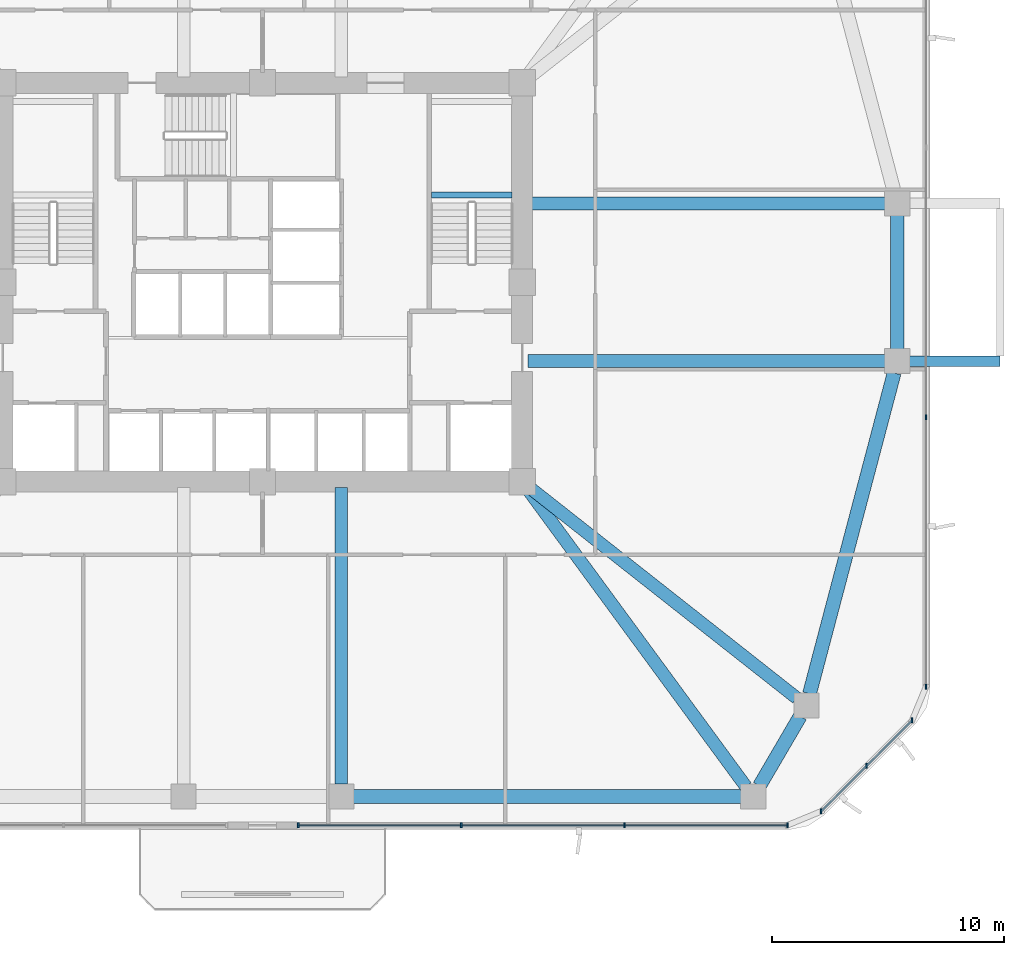
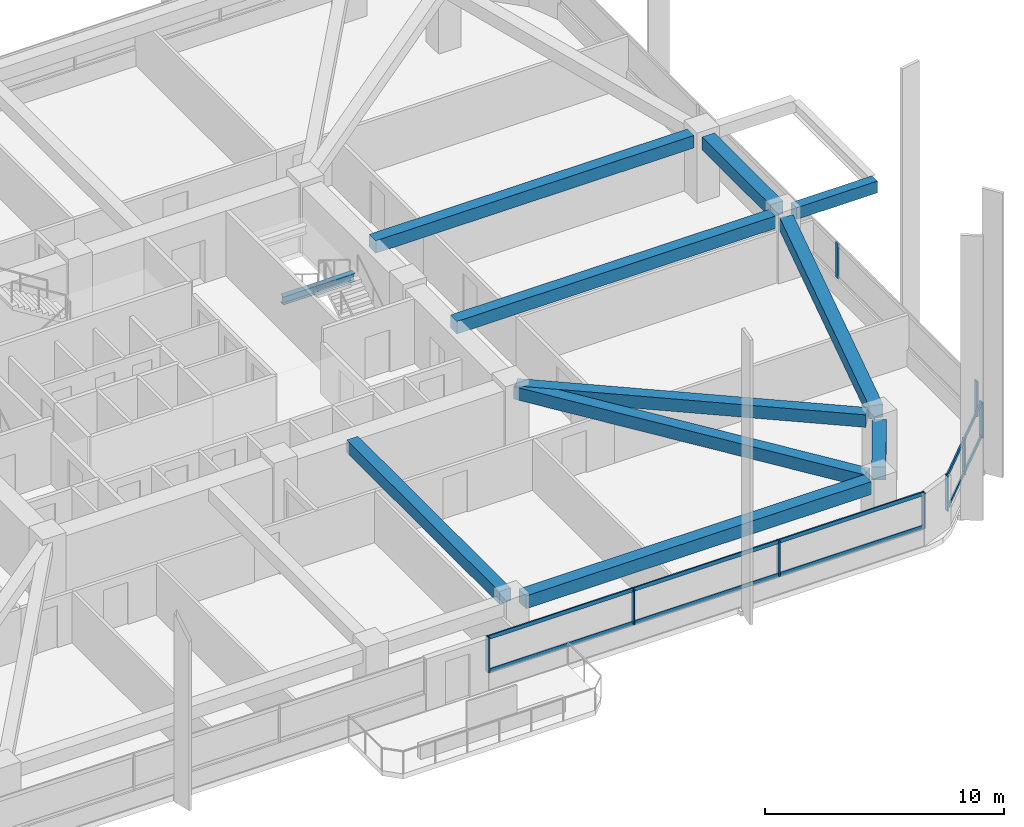
# One storey, part 4 of 17: 13 members, 11 beams, 3 elements without a shape of their own.
"""IFC4 building model written with IfcOpenShell, lengths in metres."""

from ifc_helpers import new_model, si_unit, derived_unit, direction, frame, origin, origin_2d, place, context, subcontext, project, spatial, rectangle, i_section, extrude, material, material_profile, profile_set, type_object, element, aggregate, save


model = new_model("IFC4")

# Units and contexts
model_context = context("Model", 3, precision=1e-05, world=origin(), true_north=direction((0.0, 1.0)))
body_context = subcontext(model_context, "Body", "Model", "MODEL_VIEW")
ifc_project = project(units=[si_unit("LENGTHUNIT", "METRE"), si_unit("AREAUNIT", "SQUARE_METRE"), si_unit("VOLUMEUNIT", "CUBIC_METRE"), si_unit("PLANEANGLEUNIT", "RADIAN"), si_unit("MASSUNIT", "GRAM", prefix="KILO"), derived_unit("THERMALTRANSMITTANCEUNIT", [(si_unit("POWERUNIT", "WATT"), 1), (si_unit("LENGTHUNIT", "METRE"), -2), (si_unit("THERMODYNAMICTEMPERATUREUNIT", "KELVIN"), -1)])], contexts=[model_context])

# Site, building, storey
site_placement = place(None, origin())
site = spatial("IfcSite", under=ifc_project, at=site_placement, CompositionType="ELEMENT")
building_placement = place(site_placement, origin())
building = spatial("IfcBuilding", under=site, at=building_placement, Name="Koralith Skygarden Medical Center", CompositionType="ELEMENT")
storey_placement = place(building_placement, frame((0.0, 0.0, 52.739990234375)))
storey = spatial("IfcBuildingStorey", under=building, at=storey_placement, Name="L13", CompositionType="ELEMENT", Elevation=52.739990234375)

# Curtain wall, members
ifc_material_1 = material(Name="Clear Laminated Glass", Category="glass")
curtain_wall_type = type_object("IfcCurtainWallType", Name="CW-2 Zone 1 Hurricane Unitised Curtain Wall", PredefinedType="NOTDEFINED", material=ifc_material_1)
curtain_wall_1_placement = place(storey_placement, origin())
curtain_wall_1 = element("IfcCurtainWall", 1, at=curtain_wall_1_placement, inside=storey, type_object=curtain_wall_type, Name="Curtain Wall CW-L13-S-R", PredefinedType="NOTDEFINED")
ifc_material_2 = material(Name="Aluminium 6063-T6", Category="aluminium")
ifc_material_profile_1 = material_profile(ifc_material_2, rectangle(XDim=0.071044921875, YDim=0.219970703125, at=origin_2d()), Name="MUL71X220")
ifc_profile_set_1 = profile_set([ifc_material_profile_1], Name="Aluminium 6063-T6")
member_type_1 = type_object("IfcMemberType", Name="CW-2 Extruded Mullion 71x220", PredefinedType="MULLION", material=ifc_profile_set_1)
member_1_placement = place(storey_placement, frame((38.5400390625, 2.47998046875, 0.85009765625), z_axis=(0.0, 0.0, 1.0), x_axis=(1.0, 0.0, 0.0)))
member_1 = element("IfcMember", 2, at=member_1_placement, type_object=member_type_1, Name="CW-L13-S-R Mullion 1", PredefinedType="MULLION", context=body_context, shape_type="SweptSolid", body=[
    extrude(rectangle(XDim=0.071044921875, YDim=0.219970703125, at=origin_2d()), origin(), (0.0, 0.0, 1.0), 1.7998046875),
])
member_2_placement = place(storey_placement, frame((45.574951171875, 2.47998046875, 0.85009765625), z_axis=(0.0, 0.0, 1.0), x_axis=(1.0, 0.0, 0.0)))
member_2 = element("IfcMember", 3, at=member_2_placement, type_object=member_type_1, Name="CW-L13-S-R Mullion 2", PredefinedType="MULLION", context=body_context, shape_type="SweptSolid", body=[
    extrude(rectangle(XDim=0.071044921875, YDim=0.219970703125, at=origin_2d()), origin(), (0.0, 0.0, 1.0), 1.7998046875),
])
member_3_placement = place(storey_placement, frame((52.610107421875, 2.47998046875, 0.85009765625), z_axis=(0.0, 0.0, 1.0), x_axis=(1.0, 0.0, 0.0)))
member_3 = element("IfcMember", 4, at=member_3_placement, type_object=member_type_1, Name="CW-L13-S-R Mullion 3", PredefinedType="MULLION", context=body_context, shape_type="SweptSolid", body=[
    extrude(rectangle(XDim=0.071044921875, YDim=0.219970703125, at=origin_2d()), origin(), (0.0, 0.0, 1.0), 1.7998046875),
])
member_4_placement = place(storey_placement, frame((59.64501953125, 2.47998046875, 0.85009765625), z_axis=(0.0, 0.0, 1.0), x_axis=(1.0, 0.0, 0.0)))
member_4 = element("IfcMember", 5, at=member_4_placement, type_object=member_type_1, Name="CW-L13-S-R Mullion 4", PredefinedType="MULLION", context=body_context, shape_type="SweptSolid", body=[
    extrude(rectangle(XDim=0.071044921875, YDim=0.219970703125, at=origin_2d()), origin(), (0.0, 0.0, 1.0), 1.7998046875),
])

curtain_wall_2_placement = place(storey_placement, origin())
curtain_wall_2 = element("IfcCurtainWall", 6, at=curtain_wall_2_placement, inside=storey, type_object=curtain_wall_type, Name="Curtain Wall CW-L13-SE", PredefinedType="NOTDEFINED")
member_5_placement = place(storey_placement, frame((61.095947265625, 3.0810546875, 0.85009765625), z_axis=(0.0, 0.0, 1.0), x_axis=(1.0, 0.0, 0.0)))
member_5 = element("IfcMember", 7, at=member_5_placement, type_object=member_type_1, Name="CW-L13-SE Mullion 1", PredefinedType="MULLION", context=body_context, shape_type="SweptSolid", body=[
    extrude(rectangle(XDim=0.071044921875, YDim=0.219970703125, at=origin_2d()), origin(), (0.0, 0.0, 1.0), 1.7998046875),
])
member_6_placement = place(storey_placement, frame((63.056884765625, 5.0419921875, 0.85009765625), z_axis=(0.0, 0.0, 1.0), x_axis=(1.0, 0.0, 0.0)))
member_6 = element("IfcMember", 8, at=member_6_placement, type_object=member_type_1, Name="CW-L13-SE Mullion 2", PredefinedType="MULLION", context=body_context, shape_type="SweptSolid", body=[
    extrude(rectangle(XDim=0.071044921875, YDim=0.219970703125, at=origin_2d()), origin(), (0.0, 0.0, 1.0), 1.7998046875),
])
member_7_placement = place(storey_placement, frame((65.01904296875, 7.00390625, 0.85009765625), z_axis=(0.0, 0.0, 1.0), x_axis=(1.0, 0.0, 0.0)))
member_7 = element("IfcMember", 9, at=member_7_placement, type_object=member_type_1, Name="CW-L13-SE Mullion 3", PredefinedType="MULLION", context=body_context, shape_type="SweptSolid", body=[
    extrude(rectangle(XDim=0.071044921875, YDim=0.219970703125, at=origin_2d()), origin(), (0.0, 0.0, 1.0), 1.7998046875),
])

curtain_wall_3_placement = place(storey_placement, origin())
curtain_wall_3 = element("IfcCurtainWall", 10, at=curtain_wall_3_placement, inside=storey, type_object=curtain_wall_type, Name="Curtain Wall CW-L13-E", PredefinedType="NOTDEFINED")
member_8_placement = place(storey_placement, frame((65.6201171875, 8.455078125, 0.85009765625), z_axis=(0.0, 0.0, 1.0), x_axis=(1.0, 0.0, 0.0)))
member_8 = element("IfcMember", 11, at=member_8_placement, type_object=member_type_1, Name="CW-L13-E Mullion 1", PredefinedType="MULLION", context=body_context, shape_type="SweptSolid", body=[
    extrude(rectangle(XDim=0.071044921875, YDim=0.219970703125, at=origin_2d()), origin(), (0.0, 0.0, 1.0), 1.7998046875),
])
member_9_placement = place(storey_placement, frame((65.6201171875, 20.0849609375, 0.85009765625), z_axis=(0.0, 0.0, 1.0), x_axis=(1.0, 0.0, 0.0)))
member_9 = element("IfcMember", 12, at=member_9_placement, type_object=member_type_1, Name="CW-L13-E Mullion 2", PredefinedType="MULLION", context=body_context, shape_type="SweptSolid", body=[
    extrude(rectangle(XDim=0.071044921875, YDim=0.219970703125, at=origin_2d()), origin(), (0.0, 0.0, 1.0), 1.7998046875),
])
aggregate(curtain_wall_3, [member_8, member_9])

# Member
ifc_material_profile_2 = material_profile(ifc_material_2, rectangle(XDim=0.06591796875, YDim=0.197998046875, at=origin_2d()), Name="TRN66X198")
ifc_profile_set_2 = profile_set([ifc_material_profile_2], Name="Aluminium 6063-T6")
member_type_2 = type_object("IfcMemberType", Name="CW-2 Thermal Transom 66x198", PredefinedType="USERDEFINED", material=ifc_profile_set_2)
member_10_placement = place(storey_placement, frame((38.5400390625, 2.47998046875, 0.89990234375), z_axis=(1.0, 0.0, 0.0), x_axis=(0.0, 1.0, 0.0)))
member_10 = element("IfcMember", 13, at=member_10_placement, type_object=member_type_2, Name="CW-L13-S-R Transom 1", ObjectType="TRANSOM", PredefinedType="USERDEFINED", context=body_context, shape_type="SweptSolid", body=[
    extrude(rectangle(XDim=0.06591796875, YDim=0.197998046875, at=origin_2d()), origin(), (0.0, 0.0, 1.0), 21.10498046875),
])

member_11_placement = place(storey_placement, frame((38.5400390625, 2.47998046875, 2.60009765625), z_axis=(1.0, 0.0, 0.0), x_axis=(0.0, 1.0, 0.0)))
member_11 = element("IfcMember", 14, at=member_11_placement, type_object=member_type_2, Name="CW-L13-S-R Transom 2", ObjectType="TRANSOM", PredefinedType="USERDEFINED", context=body_context, shape_type="SweptSolid", body=[
    extrude(rectangle(XDim=0.06591796875, YDim=0.197998046875, at=origin_2d()), origin(), (0.0, 0.0, 1.0), 21.10498046875),
])

aggregate(curtain_wall_1, [member_1, member_2, member_3, member_4, member_10, member_11])

member_12_placement = place(storey_placement, frame((61.095947265625, 3.0810546875, 0.89990234375), z_axis=(0.707128783731, 0.707084777957, 0.0), x_axis=(-0.707084777957, 0.707128783731, 0.0)))
member_12 = element("IfcMember", 15, at=member_12_placement, type_object=member_type_2, Name="CW-L13-SE Transom 1", ObjectType="TRANSOM", PredefinedType="USERDEFINED", context=body_context, shape_type="SweptSolid", body=[
    extrude(rectangle(XDim=0.06591796875, YDim=0.197998046875, at=origin_2d()), origin(), (0.0, 0.0, 1.0), 5.5478515625),
])

member_13_placement = place(storey_placement, frame((61.095947265625, 3.0810546875, 2.60009765625), z_axis=(0.707128783731, 0.707084777957, 0.0), x_axis=(-0.707084777957, 0.707128783731, 0.0)))
member_13 = element("IfcMember", 16, at=member_13_placement, type_object=member_type_2, Name="CW-L13-SE Transom 2", ObjectType="TRANSOM", PredefinedType="USERDEFINED", context=body_context, shape_type="SweptSolid", body=[
    extrude(rectangle(XDim=0.06591796875, YDim=0.197998046875, at=origin_2d()), origin(), (0.0, 0.0, 1.0), 5.5478515625),
])

aggregate(curtain_wall_2, [member_5, member_6, member_7, member_12, member_13])

# Beams
ifc_material_3 = material(Name="Steel ASTM A992 Grade 50", Category="steel")
ifc_material_profile_3 = material_profile(ifc_material_3, i_section(OverallWidth=0.260009765625, OverallDepth=0.4150390625, WebThickness=0.010009765625, FlangeThickness=0.016845703125, at=origin_2d()), Name="W16X67")
ifc_profile_set_3 = profile_set([ifc_material_profile_3], Name="Steel ASTM A992 Grade 50")
beam_type_1 = type_object("IfcBeamType", Name="Clinical Floor Joist W16X67", PredefinedType="JOIST", material=ifc_profile_set_3)
beam_1_placement = place(storey_placement, frame((44.280029296875, 29.659912109375, 1.39208984375), z_axis=(1.0, 0.0, 0.0), x_axis=(0.0, 1.0, 0.0)))
element("IfcBeam", 17, at=beam_1_placement, inside=storey, type_object=beam_type_1, Name="L13 Stair ST2 Half-Landing Support Beam 1A", PredefinedType="JOIST", context=body_context, shape_type="SweptSolid", body=[
    extrude(i_section(OverallWidth=0.260009765625, OverallDepth=0.4150390625, WebThickness=0.010009765625, FlangeThickness=0.016845703125, at=origin_2d()), origin(), (0.0, 0.0, 1.0), 3.489990234375),
])
ifc_material_4 = material(Name="Concrete C45/55", Category="concrete")
ifc_material_profile_4 = material_profile(ifc_material_4, rectangle(XDim=0.449951171875, YDim=0.60009765625, at=origin_2d()), Name="RCB450X600")
ifc_profile_set_4 = profile_set([ifc_material_profile_4], Name="Concrete C45/55")
beam_type_2 = type_object("IfcBeamType", Name="Planted Balcony Cantilever Beam RCB450X600", PredefinedType="BEAM", material=ifc_profile_set_4)
beam_2_placement = place(storey_placement, frame((64.89990234375, 22.5, 3.0400390625), z_axis=(1.0, 0.0, 0.0), x_axis=(0.0, 1.0, 0.0)))
element("IfcBeam", 18, at=beam_2_placement, inside=storey, type_object=beam_type_2, Name="L14 E Balcony Cantilever Beam A", PredefinedType="BEAM", context=body_context, shape_type="SweptSolid", body=[
    extrude(rectangle(XDim=0.449951171875, YDim=0.60009765625, at=origin_2d()), origin(), (0.0, 0.0, 1.0), 3.920166015625),
])
ifc_material_profile_5 = material_profile(ifc_material_4, rectangle(XDim=0.550048828125, YDim=0.639892578125, at=origin_2d()), Name="RCB550X640")
ifc_profile_set_5 = profile_set([ifc_material_profile_5], Name="Concrete C45/55")
beam_type_3 = type_object("IfcBeamType", Name="Radial Collector Beam RCB550X640", PredefinedType="BEAM", material=ifc_profile_set_5)
beam_3_placement = place(storey_placement, frame((40.39990234375, 17.050048828125, 3.0), z_axis=(0.0, -1.0, 0.0), x_axis=(1.0, 0.0, 0.0)))
element("IfcBeam", 19, at=beam_3_placement, inside=storey, type_object=beam_type_3, Name="L13 Radial Collector Beam RB-05", PredefinedType="BEAM", context=body_context, shape_type="SweptSolid", body=[
    extrude(rectangle(XDim=0.550048828125, YDim=0.639892578125, at=origin_2d()), origin(), (0.0, 0.0, 1.0), 12.800048828125),
])
beam_4_placement = place(storey_placement, frame((48.347900390625, 17.097900390625, 3.0), z_axis=(0.591718052249, -0.806144991079, 0.0), x_axis=(0.806144991079, 0.591718052249, 0.0)))
element("IfcBeam", 20, at=beam_4_placement, inside=storey, type_object=beam_type_3, Name="L13 Radial Collector Beam RB-06", PredefinedType="BEAM", context=body_context, shape_type="SweptSolid", body=[
    extrude(rectangle(XDim=0.550048828125, YDim=0.639892578125, at=origin_2d()), origin(), (0.0, 0.0, 1.0), 16.065185546875),
])
beam_5_placement = place(storey_placement, frame((48.39599609375, 17.14501953125, 3.0), z_axis=(0.785497250365, -0.618865146594, 0.0), x_axis=(0.618865146594, 0.785497250365, 0.0)))
element("IfcBeam", 21, at=beam_5_placement, inside=storey, type_object=beam_type_3, Name="L13 Radial Collector Beam RB-07", PredefinedType="BEAM", context=body_context, shape_type="SweptSolid", body=[
    extrude(rectangle(XDim=0.550048828125, YDim=0.639892578125, at=origin_2d()), origin(), (0.0, 0.0, 1.0), 14.828857421875),
])
for number, where, z_axis, x_axis, name in (
    (22, (48.449951171875, 22.5, 3.0), (1.0, 0.0, 0.0), (0.0, 1.0, 0.0), "L13 Radial Collector Beam RB-08"),
    (23, (48.449951171875, 29.300048828125, 3.0), (1.0, 0.0, 0.0), (0.0, 1.0, 0.0), "L13 Radial Collector Beam RB-09"),
):
    element("IfcBeam", number, at=place(storey_placement, frame(where, z_axis=z_axis, x_axis=x_axis)), inside=storey, type_object=beam_type_3, Name=name, PredefinedType="BEAM", context=body_context, shape_type="SweptSolid", body=[
        extrude(rectangle(XDim=0.550048828125, YDim=0.639892578125, at=origin_2d()), origin(), (0.0, 0.0, 1.0), 15.400146484375),
    ])
ifc_material_profile_6 = material_profile(ifc_material_4, rectangle(XDim=0.60009765625, YDim=0.659912109375, at=origin_2d()), Name="RCB600X660")
ifc_profile_set_6 = profile_set([ifc_material_profile_6], Name="Concrete C45/55")
beam_type_4 = type_object("IfcBeamType", Name="Zone 1 Spandrel Beam RCB600X660", PredefinedType="SPANDREL", material=ifc_profile_set_6)
beam_6_placement = place(storey_placement, frame((40.929931640625, 3.719970703125, 2.989990234375), z_axis=(1.0, 0.0, 0.0), x_axis=(0.0, 1.0, 0.0)))
element("IfcBeam", 24, at=beam_6_placement, inside=storey, type_object=beam_type_4, Name="L13 Perimeter Spandrel Beam SP-05", PredefinedType="SPANDREL", context=body_context, shape_type="SweptSolid", body=[
    extrude(rectangle(XDim=0.60009765625, YDim=0.659912109375, at=origin_2d()), origin(), (0.0, 0.0, 1.0), 16.7080078125),
])
beam_7_placement = place(storey_placement, frame((58.43603515625, 4.177978515625, 2.989990234375), z_axis=(0.504638660636, 0.863330656349, 0.0), x_axis=(-0.863330656349, 0.504638660636, 0.0)))
element("IfcBeam", 25, at=beam_7_placement, inside=storey, type_object=beam_type_4, Name="L13 Perimeter Spandrel Beam SP-06", PredefinedType="SPANDREL", context=body_context, shape_type="SweptSolid", body=[
    extrude(rectangle(XDim=0.60009765625, YDim=0.659912109375, at=origin_2d()), origin(), (0.0, 0.0, 1.0), 3.4794921875),
])
beam_8_placement = place(storey_placement, frame((60.594970703125, 8.152099609375, 2.989990234375), z_axis=(0.255088684842, 0.966917660851, 0.0), x_axis=(-0.966917660851, 0.255088684842, 0.0)))
element("IfcBeam", 26, at=beam_8_placement, inside=storey, type_object=beam_type_4, Name="L13 Perimeter Spandrel Beam SP-07", PredefinedType="SPANDREL", context=body_context, shape_type="SweptSolid", body=[
    extrude(rectangle(XDim=0.60009765625, YDim=0.659912109375, at=origin_2d()), origin(), (0.0, 0.0, 1.0), 14.309326171875),
])
beam_9_placement = place(storey_placement, frame((64.3798828125, 23.030029296875, 2.989990234375), z_axis=(0.0, 1.0, 0.0), x_axis=(-1.0, 0.0, 0.0)))
element("IfcBeam", 27, at=beam_9_placement, inside=storey, type_object=beam_type_4, Name="L13 Perimeter Spandrel Beam SP-08", PredefinedType="SPANDREL", context=body_context, shape_type="SweptSolid", body=[
    extrude(rectangle(XDim=0.60009765625, YDim=0.659912109375, at=origin_2d()), origin(), (0.0, 0.0, 1.0), 5.739990234375),
])

save(model, "model.ifc")
